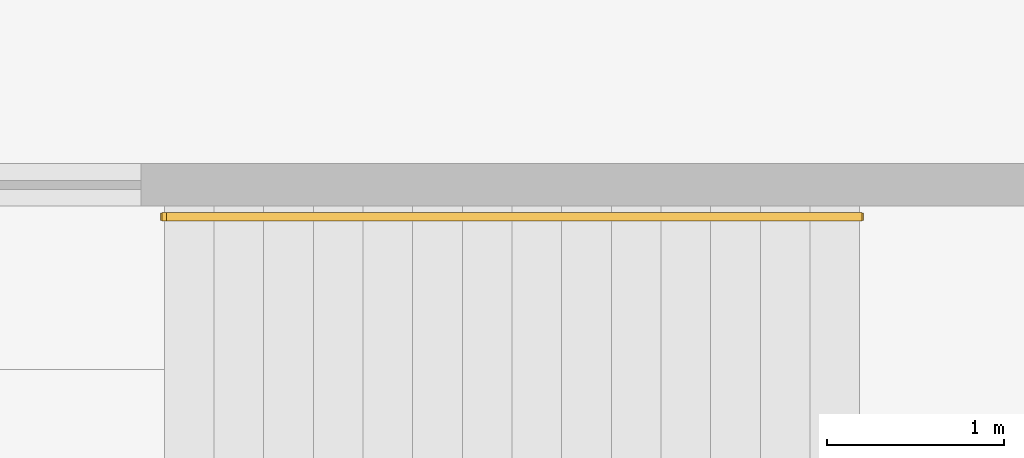
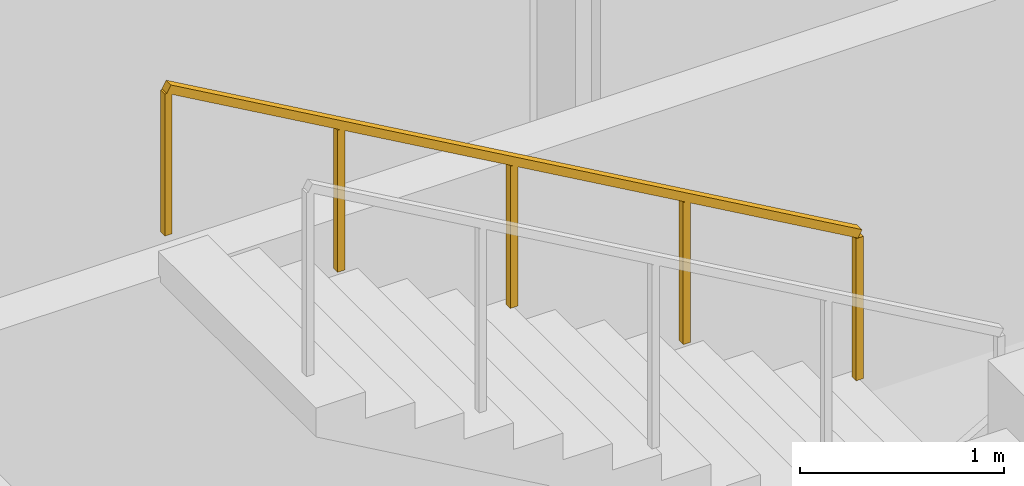
# One storey, part 18 of 19: 1 railing.
"""IFC4 building model written with IfcOpenShell, lengths in metres."""

from ifc_helpers import new_model, si_unit, direction, frame, origin, origin_2d, place, context, subcontext, project, spatial, rectangle, extrude, material, type_object, element, save


model = new_model("IFC4")

# Units and contexts
model_context = context("Model", 3, precision=1e-05, world=origin(), true_north=direction((0.0, 1.0)))
body_context = subcontext(model_context, "Body", "Model", "MODEL_VIEW")
ifc_project = project(units=[si_unit("LENGTHUNIT", "METRE"), si_unit("AREAUNIT", "SQUARE_METRE"), si_unit("VOLUMEUNIT", "CUBIC_METRE"), si_unit("PLANEANGLEUNIT", "RADIAN"), si_unit("MASSUNIT", "GRAM", prefix="KILO")], contexts=[model_context])

# Site, building, storey
site_placement = place(None, origin())
site = spatial("IfcSite", under=ifc_project, at=site_placement, CompositionType="ELEMENT")
building_placement = place(site_placement, origin())
building = spatial("IfcBuilding", under=site, at=building_placement, Name="Liaohun Quay Tower", CompositionType="ELEMENT")
storey_placement = place(building_placement, frame((0.0, 0.0, -9.60009765625)))
storey = spatial("IfcBuildingStorey", under=building, at=storey_placement, Name="B2", CompositionType="ELEMENT", Elevation=-9.60009765625)

# Railing
ifc_material = material(Name="Brushed stainless steel", Category="steel")
railing_type = type_object("IfcRailingType", Name="RLG-HND-STR", PredefinedType="HANDRAIL", material=ifc_material)
railing_placement = place(storey_placement, frame((60.070068359375, 65.360107421875, 2.56005859375)))
element("IfcRailing", 1, at=railing_placement, inside=storey, type_object=railing_type, Name="B2 ST-3 stair handrail 2", PredefinedType="HANDRAIL", context=body_context, shape_type="SweptSolid", body=[
    extrude(rectangle(XDim=0.048095703125, YDim=0.048095703125, at=origin_2d()), frame((0.0, 0.0, 0.8759765625), z_axis=(-0.86825312469, 0.0, 0.496121468458), x_axis=(0.0, -1.0, 0.0)), (0.0, 0.0, 1.0), 4.514892578125),
    extrude(rectangle(XDim=0.0419921875, YDim=0.0419921875, at=origin_2d()), origin(), (0.0, 0.0, 1.0), 0.851806640625),
    extrude(rectangle(XDim=0.0419921875, YDim=0.0419921875, at=origin_2d()), frame((-0.97998046875, 0.0, 0.56005859375)), (0.0, 0.0, 1.0), 0.851806640625),
    extrude(rectangle(XDim=0.0419921875, YDim=0.0419921875, at=origin_2d()), frame((-1.9599609375, 0.0, 1.1201171875)), (0.0, 0.0, 1.0), 0.851806640625),
    extrude(rectangle(XDim=0.0419921875, YDim=0.0419921875, at=origin_2d()), frame((-2.940185546875, 0.0, 1.679931640625)), (0.0, 0.0, 1.0), 0.851806640625),
    extrude(rectangle(XDim=0.0419921875, YDim=0.0419921875, at=origin_2d()), frame((-3.920166015625, 0.0, 2.239990234375)), (0.0, 0.0, 1.0), 0.851806640625),
])

save(model, "model.ifc")
